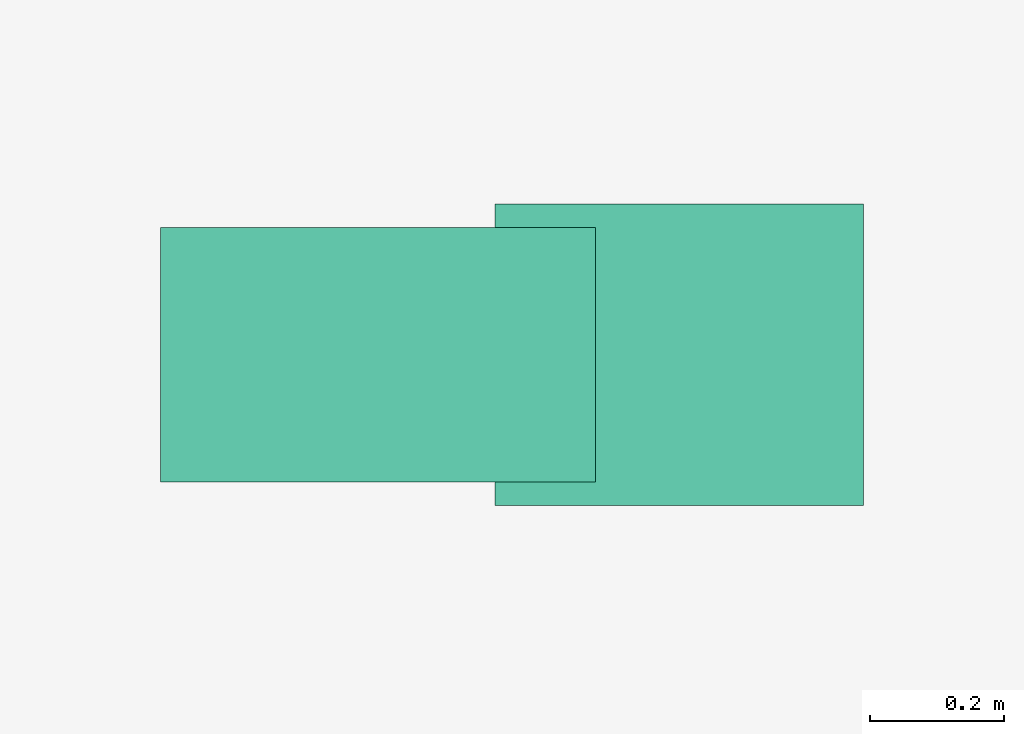
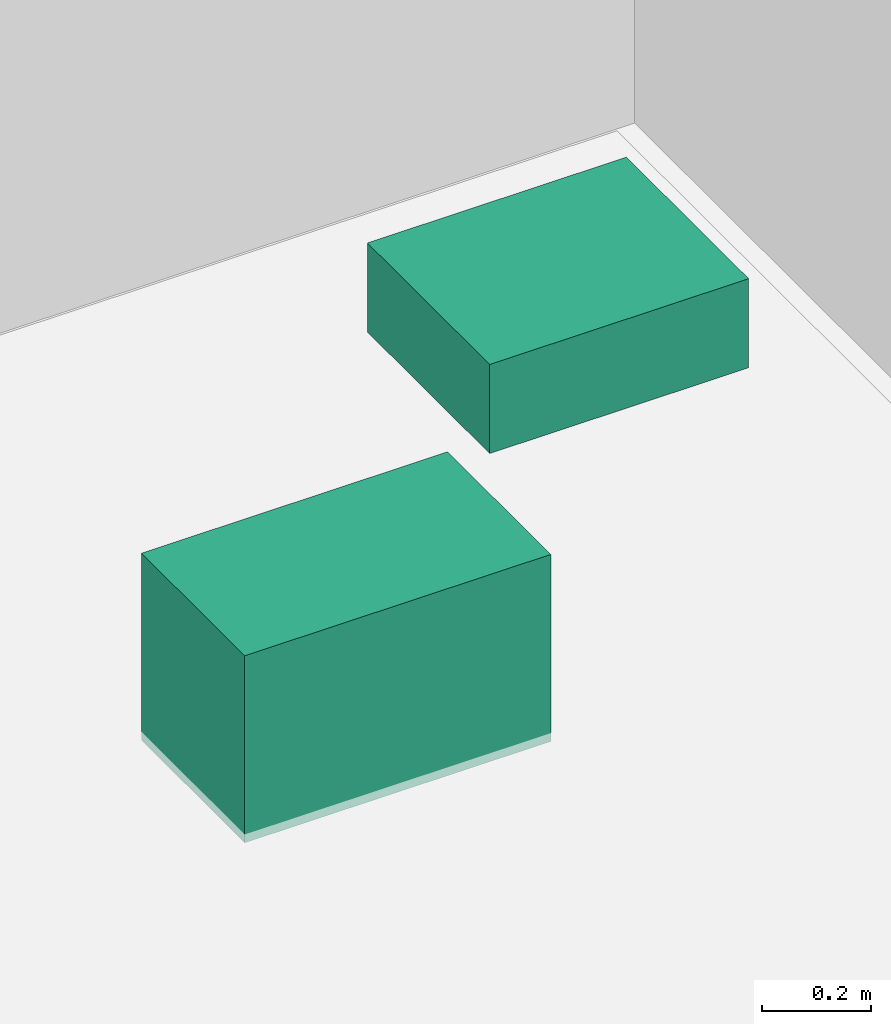
# One storey, part 23 of 23: 2 sanitary terminals.
"""IFC4 building model written with IfcOpenShell, lengths in metres."""

from ifc_helpers import new_model, si_unit, direction, frame, origin, origin_2d, place, context, subcontext, project, spatial, rectangle, extrude, material, type_object, element, save


model = new_model("IFC4")

# Units and contexts
model_context = context("Model", 3, precision=1e-05, world=origin(), true_north=direction((0.0, 1.0)))
body_context = subcontext(model_context, "Body", "Model", "MODEL_VIEW")
ifc_project = project(units=[si_unit("LENGTHUNIT", "METRE"), si_unit("AREAUNIT", "SQUARE_METRE"), si_unit("VOLUMEUNIT", "CUBIC_METRE"), si_unit("PLANEANGLEUNIT", "RADIAN"), si_unit("MASSUNIT", "GRAM", prefix="KILO")], contexts=[model_context])

# Site, building, storey
site_placement = place(None, origin())
site = spatial("IfcSite", under=ifc_project, at=site_placement, CompositionType="ELEMENT")
building_placement = place(site_placement, origin())
building = spatial("IfcBuilding", under=site, at=building_placement, Name="Savorim Split Tower", CompositionType="ELEMENT")
storey_placement = place(building_placement, frame((0.0, 0.0, 21.800048828125)))
storey = spatial("IfcBuildingStorey", under=building, at=storey_placement, Name="L05", CompositionType="ELEMENT", Elevation=21.800048828125)

# Sanitary terminals
ifc_material = material(Name="Vitreous China Sanitaryware")
sanitary_terminal_type_1 = type_object("IfcSanitaryTerminalType", Name="SAN-WC-PAN", PredefinedType="TOILETPAN", material=ifc_material)
sanitary_terminal_1_placement = place(storey_placement, frame((-2.77490234375, -7.60009765625, 0.0), z_axis=(0.0, 0.0, 1.0), x_axis=(1.0, 0.0, 0.0)))
element("IfcSanitaryTerminal", 1, at=sanitary_terminal_1_placement, inside=storey, type_object=sanitary_terminal_type_1, Name="L05 Accessible WC WC Pan", PredefinedType="TOILETPAN", context=body_context, shape_type="SweptSolid", body=[
    extrude(rectangle(XDim=0.64990234375, YDim=0.3798828125, at=origin_2d()), origin(), (0.0, 0.0, 1.0), 0.419921875),
])
sanitary_terminal_type_2 = type_object("IfcSanitaryTerminalType", Name="SAN-WHB-550", PredefinedType="WASHHANDBASIN", material=ifc_material)
sanitary_terminal_2_placement = place(storey_placement, frame((-2.324951171875, -7.60009765625, 0.72021484375), z_axis=(0.0, 0.0, 1.0), x_axis=(1.0, 0.0, 0.0)))
element("IfcSanitaryTerminal", 2, at=sanitary_terminal_2_placement, inside=storey, type_object=sanitary_terminal_type_2, Name="L05 Accessible WC Washhand Basin", PredefinedType="WASHHANDBASIN", context=body_context, shape_type="SweptSolid", body=[
    extrude(rectangle(XDim=0.550048828125, YDim=0.449951171875, at=origin_2d()), origin(), (0.0, 0.0, 1.0), 0.199951171875),
])

save(model, "model.ifc")
